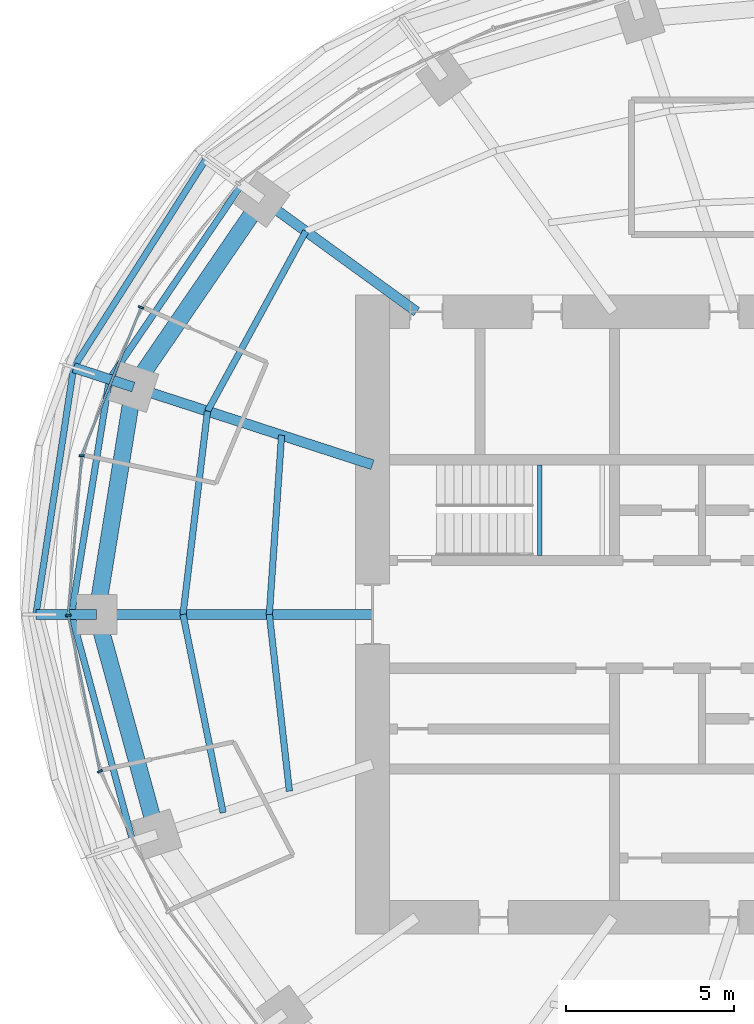
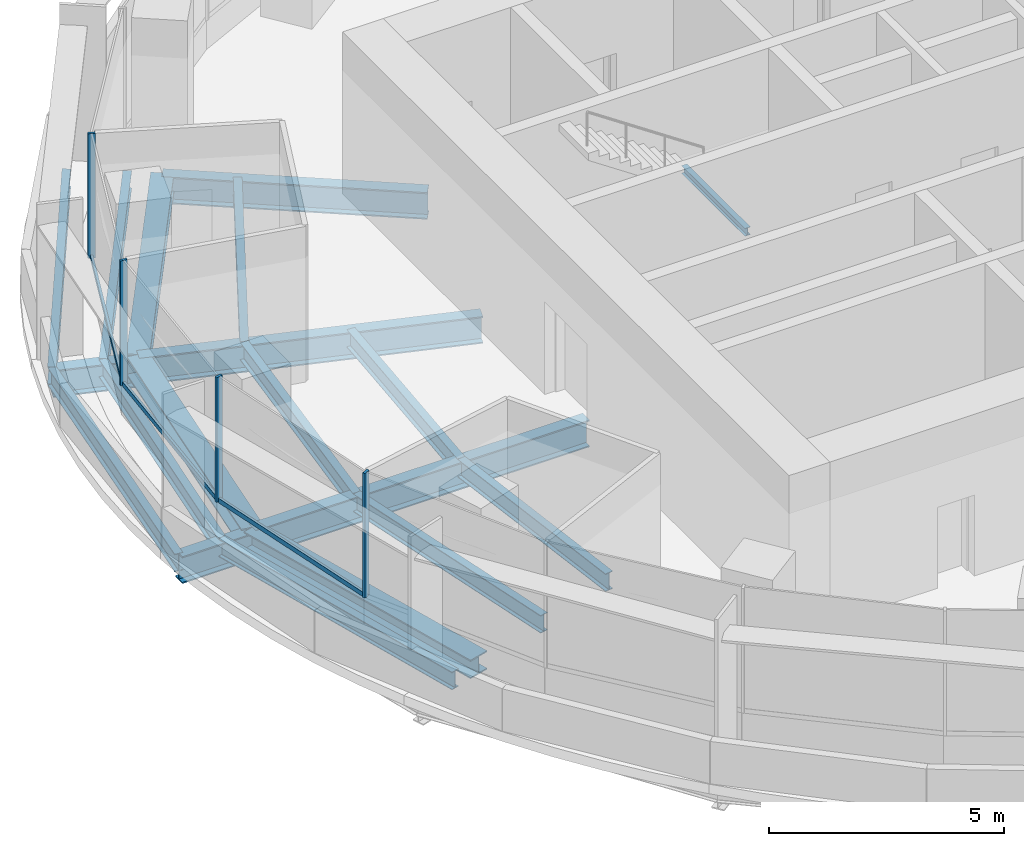
# One storey, part 4 of 15: 16 beams, 10 members, 2 elements without a shape of their own.
"""IFC4 building model written with IfcOpenShell, lengths in metres."""

from ifc_helpers import new_model, si_unit, direction, frame, origin, origin_2d, place, context, subcontext, project, spatial, rectangle, i_section, extrude, material, material_profile, profile_set, type_object, element, aggregate, save


model = new_model("IFC4")

# Units and contexts
model_context = context("Model", 3, precision=1e-05, world=origin(), true_north=direction((0.0, 1.0)))
body_context = subcontext(model_context, "Body", "Model", "MODEL_VIEW")
ifc_project = project(units=[si_unit("LENGTHUNIT", "METRE"), si_unit("AREAUNIT", "SQUARE_METRE"), si_unit("VOLUMEUNIT", "CUBIC_METRE"), si_unit("PLANEANGLEUNIT", "RADIAN"), si_unit("MASSUNIT", "GRAM", prefix="KILO")], contexts=[model_context])

# Site, building, storey
site_placement = place(None, origin())
site = spatial("IfcSite", under=ifc_project, at=site_placement, CompositionType="ELEMENT")
building_placement = place(site_placement, origin())
building = spatial("IfcBuilding", under=site, at=building_placement, Name="Marramba Exchange Tower", CompositionType="ELEMENT")
storey_placement = place(building_placement, frame((0.0, 0.0, 251.800048828125)))
storey = spatial("IfcBuildingStorey", under=building, at=storey_placement, Name="L61", CompositionType="ELEMENT", Elevation=251.800048828125)

# Members
ifc_material_1 = material(Name="Steel AS/NZS 3679.2 grade 300", Category="steel")
ifc_material_profile_1 = material_profile(ifc_material_1, i_section(OverallWidth=0.5, OverallDepth=0.48388671875, WebThickness=0.02490234375, FlangeThickness=0.031982421875, at=origin_2d()), Name="500WC340")
ifc_profile_set_1 = profile_set([ifc_material_profile_1], Name="Steel AS/NZS 3679.2 grade 300")
member_type_1 = type_object("IfcMemberType", Name="Belt truss chord 500WC340", PredefinedType="CHORD", material=ifc_profile_set_1)
member_1_placement = place(storey_placement, frame((-16.98583984375, 12.3408203125, -0.442138671875), z_axis=(-0.56516002054, -0.824981303535, 0.0), x_axis=(0.824981303535, -0.56516002054, 0.0)))
element("IfcMember", 1, at=member_1_placement, inside=storey, type_object=member_type_1, Name="Belt chord L61 TC09-TC10", PredefinedType="CHORD", context=body_context, shape_type="SweptSolid", body=[
    extrude(i_section(OverallWidth=0.5, OverallDepth=0.48388671875, WebThickness=0.02490234375, FlangeThickness=0.031982421875, at=origin_2d()), origin(), (0.0, 0.0, 1.0), 6.763671875),
])
member_2_placement = place(storey_placement, frame((-20.808349609375, 6.760986328125, -0.442138671875), z_axis=(-0.159384865399, -0.987216523708, 0.0), x_axis=(0.987216523708, -0.159384865399, 0.0)))
element("IfcMember", 2, at=member_2_placement, inside=storey, type_object=member_type_1, Name="Belt chord L61 TC10-TC11", PredefinedType="CHORD", context=body_context, shape_type="SweptSolid", body=[
    extrude(i_section(OverallWidth=0.5, OverallDepth=0.48388671875, WebThickness=0.02490234375, FlangeThickness=0.031982421875, at=origin_2d()), origin(), (0.0, 0.0, 1.0), 6.8486328125),
])
member_3_placement = place(storey_placement, frame((-21.89990234375, 0.0, -0.442138671875), z_axis=(0.264291166956, -0.964442937176, 0.0), x_axis=(0.964442937176, 0.264291166956, 0.0)))
element("IfcMember", 3, at=member_3_placement, inside=storey, type_object=member_type_1, Name="Belt chord L61 TC11-TC12", PredefinedType="CHORD", context=body_context, shape_type="SweptSolid", body=[
    extrude(i_section(OverallWidth=0.5, OverallDepth=0.48388671875, WebThickness=0.02490234375, FlangeThickness=0.031982421875, at=origin_2d()), origin(), (0.0, 0.0, 1.0), 6.77490234375),
])

# Beams
ifc_material_profile_2 = material_profile(ifc_material_1, i_section(OverallWidth=0.300048828125, OverallDepth=0.699951171875, WebThickness=0.010009765625, FlangeThickness=0.031982421875, at=origin_2d()), Name="700WB173")
ifc_profile_set_2 = profile_set([ifc_material_profile_2], Name="Steel AS/NZS 3679.2 grade 300")
beam_type_1 = type_object("IfcBeamType", Name="Cantilever girder 700WB173", PredefinedType="BEAM", material=ifc_profile_set_2)
beam_1_placement = place(storey_placement, frame((-20.808349609375, 6.760986328125, -0.60009765625), z_axis=(-0.951047511993, 0.309044705395, 0.0), x_axis=(-0.309044705395, -0.951047511993, 0.0)))
element("IfcBeam", 4, at=beam_1_placement, inside=storey, type_object=beam_type_1, Name="Cantilever girder L61 TC10", PredefinedType="BEAM", context=body_context, shape_type="SweptSolid", body=[
    extrude(i_section(OverallWidth=0.300048828125, OverallDepth=0.699951171875, WebThickness=0.010009765625, FlangeThickness=0.031982421875, at=origin_2d()), origin(), (0.0, 0.0, 1.0), 1.868408203125),
])
beam_2_placement = place(storey_placement, frame((-21.89990234375, 0.0, -0.60009765625), z_axis=(-1.0, 0.0, 0.0), x_axis=(0.0, -1.0, 0.0)))
element("IfcBeam", 5, at=beam_2_placement, inside=storey, type_object=beam_type_1, Name="Cantilever girder L61 TC11", PredefinedType="BEAM", context=body_context, shape_type="SweptSolid", body=[
    extrude(i_section(OverallWidth=0.300048828125, OverallDepth=0.699951171875, WebThickness=0.010009765625, FlangeThickness=0.031982421875, at=origin_2d()), origin(), (0.0, 0.0, 1.0), 1.80615234375),
])

# Curtain wall, members
ifc_material_2 = material(Name="Aluminium framing, bronze anodised", Category="aluminium")
curtain_wall_type = type_object("IfcCurtainWallType", Name="Executive floor ribbon curtain wall", PredefinedType="USERDEFINED", material=ifc_material_2)
curtain_wall_1_placement = place(storey_placement, origin())
curtain_wall_1 = element("IfcCurtainWall", 6, at=curtain_wall_1_placement, inside=storey, type_object=curtain_wall_type, Name="Curtain wall CW5 L61 F11-F15", ObjectType="RIBBON CURTAIN WALL", PredefinedType="USERDEFINED")
ifc_material_3 = material(Name="Aluminium mullion, bronze anodised", Category="aluminium")
ifc_material_profile_3 = material_profile(ifc_material_3, rectangle(XDim=0.159912109375, YDim=0.06005859375, at=origin_2d()), Name="CW5 mullion 60x160")
ifc_profile_set_3 = profile_set([ifc_material_profile_3], Name="Aluminium mullion, bronze anodised")
member_type_2 = type_object("IfcMemberType", Name="Executive floor ribbon curtain wall mullion", PredefinedType="MULLION", material=ifc_profile_set_3)
member_4_placement = place(storey_placement, frame((-20.580810546875, 9.13037109375, 0.800048828125), z_axis=(0.0, 0.0, 1.0), x_axis=(0.927838139977, -0.372983090774, 0.0)))
member_4 = element("IfcMember", 7, at=member_4_placement, type_object=member_type_2, Name="CW5 mullion 1", PredefinedType="MULLION", context=body_context, shape_type="SweptSolid", body=[
    extrude(rectangle(XDim=0.159912109375, YDim=0.06005859375, at=origin_2d()), origin(), (0.0, 0.0, 1.0), 3.239990234375),
])
member_5_placement = place(storey_placement, frame((-22.3447265625, 4.718994140625, 0.800048828125), z_axis=(0.0, 0.0, 1.0), x_axis=(0.996331816632, -0.085574009881, 0.0)))
member_5 = element("IfcMember", 8, at=member_5_placement, type_object=member_type_2, Name="CW5 mullion 1", PredefinedType="MULLION", context=body_context, shape_type="SweptSolid", body=[
    extrude(rectangle(XDim=0.159912109375, YDim=0.06005859375, at=origin_2d()), origin(), (0.0, 0.0, 1.0), 3.239990234375),
])

curtain_wall_2_placement = place(storey_placement, origin())
curtain_wall_2 = element("IfcCurtainWall", 9, at=curtain_wall_2_placement, inside=storey, type_object=curtain_wall_type, Name="Curtain wall CW5 L61 F16-F20", ObjectType="RIBBON CURTAIN WALL", PredefinedType="USERDEFINED")
member_6_placement = place(storey_placement, frame((-22.744140625, -0.029296875, 0.800048828125), z_axis=(0.0, 0.0, 1.0), x_axis=(0.980268514856, 0.19767053089, 0.0)))
member_6 = element("IfcMember", 10, at=member_6_placement, type_object=member_type_2, Name="CW5 mullion 1", PredefinedType="MULLION", context=body_context, shape_type="SweptSolid", body=[
    extrude(rectangle(XDim=0.159912109375, YDim=0.06005859375, at=origin_2d()), origin(), (0.0, 0.0, 1.0), 3.239990234375),
])
member_7_placement = place(storey_placement, frame((-21.8017578125, -4.663818359375, 0.800048828125), z_axis=(0.0, 0.0, 1.0), x_axis=(0.89969718031, 0.436514585945, 0.0)))
member_7 = element("IfcMember", 11, at=member_7_placement, type_object=member_type_2, Name="CW5 mullion 1", PredefinedType="MULLION", context=body_context, shape_type="SweptSolid", body=[
    extrude(rectangle(XDim=0.159912109375, YDim=0.06005859375, at=origin_2d()), origin(), (0.0, 0.0, 1.0), 3.239990234375),
])

# Member
ifc_material_4 = material(Name="Aluminium transom, bronze anodised", Category="aluminium")
ifc_material_profile_4 = material_profile(ifc_material_4, rectangle(XDim=0.06005859375, YDim=0.1201171875, at=origin_2d()), Name="CW5 transom 60x120")
ifc_profile_set_4 = profile_set([ifc_material_profile_4], Name="Aluminium transom, bronze anodised")
member_type_3 = type_object("IfcMemberType", Name="Executive floor ribbon curtain wall transom", PredefinedType="USERDEFINED", material=ifc_profile_set_4)
member_8_placement = place(storey_placement, frame((-20.592041015625, 9.1025390625, 0.829833984375), z_axis=(-0.372969057001, -0.927843781312, 0.0), x_axis=(0.927843781312, -0.372969057001, 0.0)))
member_8 = element("IfcMember", 12, at=member_8_placement, type_object=member_type_3, Name="CW5 sill transom", ObjectType="TRANSOM", PredefinedType="USERDEFINED", context=body_context, shape_type="SweptSolid", body=[
    extrude(rectangle(XDim=0.06005859375, YDim=0.1201171875, at=origin_2d()), origin(), (0.0, 0.0, 1.0), 4.692138671875),
])

member_9_placement = place(storey_placement, frame((-22.34716796875, 4.689208984375, 0.829833984375), z_axis=(-0.085590935521, -0.99633036276, 0.0), x_axis=(0.99633036276, -0.085590935521, 0.0)))
member_9 = element("IfcMember", 13, at=member_9_placement, type_object=member_type_3, Name="CW5 sill transom", ObjectType="TRANSOM", PredefinedType="USERDEFINED", context=body_context, shape_type="SweptSolid", body=[
    extrude(rectangle(XDim=0.06005859375, YDim=0.1201171875, at=origin_2d()), origin(), (0.0, 0.0, 1.0), 4.70654296875),
])

aggregate(curtain_wall_1, [member_4, member_8, member_5, member_9])

member_10_placement = place(storey_placement, frame((-22.738037109375, -0.058837890625, 0.829833984375), z_axis=(0.197654002556, -0.980271847639, 0.0), x_axis=(0.980271847639, 0.197654002556, 0.0)))
member_10 = element("IfcMember", 14, at=member_10_placement, type_object=member_type_3, Name="CW5 sill transom", ObjectType="TRANSOM", PredefinedType="USERDEFINED", context=body_context, shape_type="SweptSolid", body=[
    extrude(rectangle(XDim=0.06005859375, YDim=0.1201171875, at=origin_2d()), origin(), (0.0, 0.0, 1.0), 4.670166015625),
])

aggregate(curtain_wall_2, [member_6, member_10, member_7])

# Beams
ifc_material_5 = material(Name="Steel AS/NZS 3679.1 grade 300", Category="steel")
ifc_material_profile_5 = material_profile(ifc_material_5, i_section(OverallWidth=0.19091796875, OverallDepth=0.4599609375, WebThickness=0.010009765625, FlangeThickness=0.01611328125, FilletRadius=0.011474609375, at=origin_2d()), Name="460UB82.1")
ifc_profile_set_5 = profile_set([ifc_material_profile_5], Name="Steel AS/NZS 3679.1 grade 300")
beam_type_2 = type_object("IfcBeamType", Name="Floor joist 460UB82.1", PredefinedType="JOIST", material=ifc_profile_set_5)
beam_3_placement = place(storey_placement, frame((-15.682373046875, 11.393798828125, -0.429931640625), z_axis=(-0.479584443791, -0.877495732909, 0.0), x_axis=(0.877495732909, -0.479584443791, 0.0)))
element("IfcBeam", 15, at=beam_3_placement, inside=storey, type_object=beam_type_2, Name="Joist L61 bay 09 row 2", PredefinedType="JOIST", context=body_context, shape_type="SweptSolid", body=[
    extrude(i_section(OverallWidth=0.19091796875, OverallDepth=0.4599609375, WebThickness=0.010009765625, FlangeThickness=0.01611328125, FilletRadius=0.011474609375, at=origin_2d()), origin(), (0.0, 0.0, 1.0), 6.094970703125),
])
beam_4_placement = place(storey_placement, frame((-16.40283203125, 5.32958984375, -0.429931640625), z_axis=(-0.068096259546, -0.99767875563, 0.0), x_axis=(0.99767875563, -0.068096259546, 0.0)))
element("IfcBeam", 16, at=beam_4_placement, inside=storey, type_object=beam_type_2, Name="Joist L61 bay 10 row 1", PredefinedType="JOIST", context=body_context, shape_type="SweptSolid", body=[
    extrude(i_section(OverallWidth=0.19091796875, OverallDepth=0.4599609375, WebThickness=0.010009765625, FlangeThickness=0.01611328125, FilletRadius=0.011474609375, at=origin_2d()), origin(), (0.0, 0.0, 1.0), 5.342041015625),
])
beam_5_placement = place(storey_placement, frame((-18.60546875, 6.04541015625, -0.429931640625), z_axis=(-0.119523078538, -0.992831422597, 0.0), x_axis=(0.992831422597, -0.119523078538, 0.0)))
element("IfcBeam", 17, at=beam_5_placement, inside=storey, type_object=beam_type_2, Name="Joist L61 bay 10 row 2", PredefinedType="JOIST", context=body_context, shape_type="SweptSolid", body=[
    extrude(i_section(OverallWidth=0.19091796875, OverallDepth=0.4599609375, WebThickness=0.010009765625, FlangeThickness=0.01611328125, FilletRadius=0.011474609375, at=origin_2d()), origin(), (0.0, 0.0, 1.0), 6.089111328125),
])
beam_6_placement = place(storey_placement, frame((-16.7666015625, 0.0, -0.429931640625), z_axis=(0.112888968594, -0.993607609054, 0.0), x_axis=(0.993607609054, 0.112888968594, 0.0)))
element("IfcBeam", 18, at=beam_6_placement, inside=storey, type_object=beam_type_2, Name="Joist L61 bay 11 row 1", PredefinedType="JOIST", context=body_context, shape_type="SweptSolid", body=[
    extrude(i_section(OverallWidth=0.19091796875, OverallDepth=0.4599609375, WebThickness=0.010009765625, FlangeThickness=0.01611328125, FilletRadius=0.011474609375, at=origin_2d()), origin(), (0.0, 0.0, 1.0), 5.28759765625),
])
beam_7_placement = place(storey_placement, frame((-19.333251953125, 0.0, -0.429931640625), z_axis=(0.198489047047, -0.980103105904, 0.0), x_axis=(0.980103105904, 0.198489047047, 0.0)))
element("IfcBeam", 19, at=beam_7_placement, inside=storey, type_object=beam_type_2, Name="Joist L61 bay 11 row 2", PredefinedType="JOIST", context=body_context, shape_type="SweptSolid", body=[
    extrude(i_section(OverallWidth=0.19091796875, OverallDepth=0.4599609375, WebThickness=0.010009765625, FlangeThickness=0.01611328125, FilletRadius=0.011474609375, at=origin_2d()), origin(), (0.0, 0.0, 1.0), 6.013427734375),
])
ifc_material_profile_6 = material_profile(ifc_material_1, i_section(OverallWidth=0.300048828125, OverallDepth=0.699951171875, WebThickness=0.010009765625, FlangeThickness=0.031982421875, at=origin_2d()), Name="700WB173")
ifc_profile_set_6 = profile_set([ifc_material_profile_6], Name="Steel AS/NZS 3679.2 grade 300")
beam_type_3 = type_object("IfcBeamType", Name="Radial girder 700WB173", PredefinedType="BEAM", material=ifc_profile_set_6)
beam_8_placement = place(storey_placement, frame((-12.387451171875, 9.0, -0.550048828125), z_axis=(-0.809025746925, 0.587773205252, 0.0), x_axis=(-0.587773205252, -0.809025746925, 0.0)))
element("IfcBeam", 20, at=beam_8_placement, inside=storey, type_object=beam_type_3, Name="Radial girder L61 TC09", PredefinedType="BEAM", context=body_context, shape_type="SweptSolid", body=[
    extrude(i_section(OverallWidth=0.300048828125, OverallDepth=0.699951171875, WebThickness=0.010009765625, FlangeThickness=0.031982421875, at=origin_2d()), origin(), (0.0, 0.0, 1.0), 5.683837890625),
])
beam_9_placement = place(storey_placement, frame((-13.699951171875, 4.451416015625, -0.550048828125), z_axis=(-0.951059990189, 0.309006302624, 0.0), x_axis=(-0.309006302624, -0.951059990189, 0.0)))
element("IfcBeam", 21, at=beam_9_placement, inside=storey, type_object=beam_type_3, Name="Radial girder L61 TC10", PredefinedType="BEAM", context=body_context, shape_type="SweptSolid", body=[
    extrude(i_section(OverallWidth=0.300048828125, OverallDepth=0.699951171875, WebThickness=0.010009765625, FlangeThickness=0.031982421875, at=origin_2d()), origin(), (0.0, 0.0, 1.0), 7.47412109375),
])
beam_10_placement = place(storey_placement, frame((-13.699951171875, 0.0, -0.550048828125), z_axis=(-1.0, 0.0, 0.0), x_axis=(0.0, -1.0, 0.0)))
element("IfcBeam", 22, at=beam_10_placement, inside=storey, type_object=beam_type_3, Name="Radial girder L61 TC11", PredefinedType="BEAM", context=body_context, shape_type="SweptSolid", body=[
    extrude(i_section(OverallWidth=0.300048828125, OverallDepth=0.699951171875, WebThickness=0.010009765625, FlangeThickness=0.031982421875, at=origin_2d()), origin(), (0.0, 0.0, 1.0), 8.199951171875),
])
ifc_material_profile_7 = material_profile(ifc_material_5, i_section(OverallWidth=0.19091796875, OverallDepth=0.4599609375, WebThickness=0.010009765625, FlangeThickness=0.01611328125, FilletRadius=0.011474609375, at=origin_2d()), Name="460UB82.1")
ifc_profile_set_7 = profile_set([ifc_material_profile_7], Name="Steel AS/NZS 3679.1 grade 300")
beam_type_4 = type_object("IfcBeamType", Name="Slab edge beam 460UB82.1", PredefinedType="SPANDREL", material=ifc_profile_set_7)
beam_11_placement = place(storey_placement, frame((-18.6455078125, 13.546875, -0.47998046875), z_axis=(-0.535794396634, -0.844348485245, 0.0), x_axis=(0.844348485245, -0.535794396634, 0.0)))
element("IfcBeam", 23, at=beam_11_placement, inside=storey, type_object=beam_type_4, Name="Setback roof edge beam L61 TC09-TC10", PredefinedType="SPANDREL", context=body_context, shape_type="SweptSolid", body=[
    extrude(i_section(OverallWidth=0.19091796875, OverallDepth=0.4599609375, WebThickness=0.010009765625, FlangeThickness=0.01611328125, FilletRadius=0.011474609375, at=origin_2d()), origin(), (0.0, 0.0, 1.0), 7.35302734375),
])
beam_12_placement = place(storey_placement, frame((-22.585205078125, 7.33837890625, -0.47998046875), z_axis=(-0.150987012186, -0.988535746522, 0.0), x_axis=(0.988535746522, -0.150987012186, 0.0)))
element("IfcBeam", 24, at=beam_12_placement, inside=storey, type_object=beam_type_4, Name="Setback roof edge beam L61 TC10-TC11", PredefinedType="SPANDREL", context=body_context, shape_type="SweptSolid", body=[
    extrude(i_section(OverallWidth=0.19091796875, OverallDepth=0.4599609375, WebThickness=0.010009765625, FlangeThickness=0.01611328125, FilletRadius=0.011474609375, at=origin_2d()), origin(), (0.0, 0.0, 1.0), 7.423583984375),
])
beam_13_placement = place(storey_placement, frame((-17.592529296875, 12.78173828125, -0.429931640625), z_axis=(-0.561606374271, -0.827404544572, 0.0), x_axis=(0.827404544572, -0.561606374271, 0.0)))
element("IfcBeam", 25, at=beam_13_placement, inside=storey, type_object=beam_type_4, Name="Slab edge beam L61 TC09-TC10", PredefinedType="SPANDREL", context=body_context, shape_type="SweptSolid", body=[
    extrude(i_section(OverallWidth=0.19091796875, OverallDepth=0.4599609375, WebThickness=0.010009765625, FlangeThickness=0.01611328125, FilletRadius=0.011474609375, at=origin_2d()), origin(), (0.0, 0.0, 1.0), 6.996337890625),
])
beam_14_placement = place(storey_placement, frame((-21.521728515625, 6.992919921875, -0.429931640625), z_axis=(-0.159271449894, -0.987234827814, 0.0), x_axis=(0.987234827814, -0.159271449894, 0.0)))
element("IfcBeam", 26, at=beam_14_placement, inside=storey, type_object=beam_type_4, Name="Slab edge beam L61 TC10-TC11", PredefinedType="SPANDREL", context=body_context, shape_type="SweptSolid", body=[
    extrude(i_section(OverallWidth=0.19091796875, OverallDepth=0.4599609375, WebThickness=0.010009765625, FlangeThickness=0.01611328125, FilletRadius=0.011474609375, at=origin_2d()), origin(), (0.0, 0.0, 1.0), 7.083251953125),
])
beam_15_placement = place(storey_placement, frame((-22.64990234375, 0.0, -0.429931640625), z_axis=(0.260722999565, -0.96541365098, 0.0), x_axis=(0.96541365098, 0.260722999565, 0.0)))
element("IfcBeam", 27, at=beam_15_placement, inside=storey, type_object=beam_type_4, Name="Slab edge beam L61 TC11-TC12", PredefinedType="SPANDREL", context=body_context, shape_type="SweptSolid", body=[
    extrude(i_section(OverallWidth=0.19091796875, OverallDepth=0.4599609375, WebThickness=0.010009765625, FlangeThickness=0.01611328125, FilletRadius=0.011474609375, at=origin_2d()), origin(), (0.0, 0.0, 1.0), 7.008056640625),
])
ifc_material_profile_8 = material_profile(ifc_material_5, i_section(OverallWidth=0.133056640625, OverallDepth=0.202880859375, WebThickness=0.005859375, FlangeThickness=0.0078125, FilletRadius=0.0087890625, at=origin_2d()), Name="200UB25.4")
ifc_profile_set_8 = profile_set([ifc_material_profile_8], Name="Steel AS/NZS 3679.1 grade 300")
beam_type_5 = type_object("IfcBeamType", Name="Stair landing beam 200UB25.4", PredefinedType="BEAM", material=ifc_profile_set_8)
beam_16_placement = place(storey_placement, frame((-8.723388671875, 1.75, 1.79833984375), z_axis=(0.0, 1.0, 0.0), x_axis=(-1.0, 0.0, 0.0)))
element("IfcBeam", 28, at=beam_16_placement, inside=storey, type_object=beam_type_5, Name="Stair landing beam SLB1 ST1 L61 1", PredefinedType="BEAM", context=body_context, shape_type="SweptSolid", body=[
    extrude(i_section(OverallWidth=0.133056640625, OverallDepth=0.202880859375, WebThickness=0.005859375, FlangeThickness=0.0078125, FilletRadius=0.0087890625, at=origin_2d()), origin(), (0.0, 0.0, 1.0), 2.699951171875),
])

save(model, "model.ifc")
